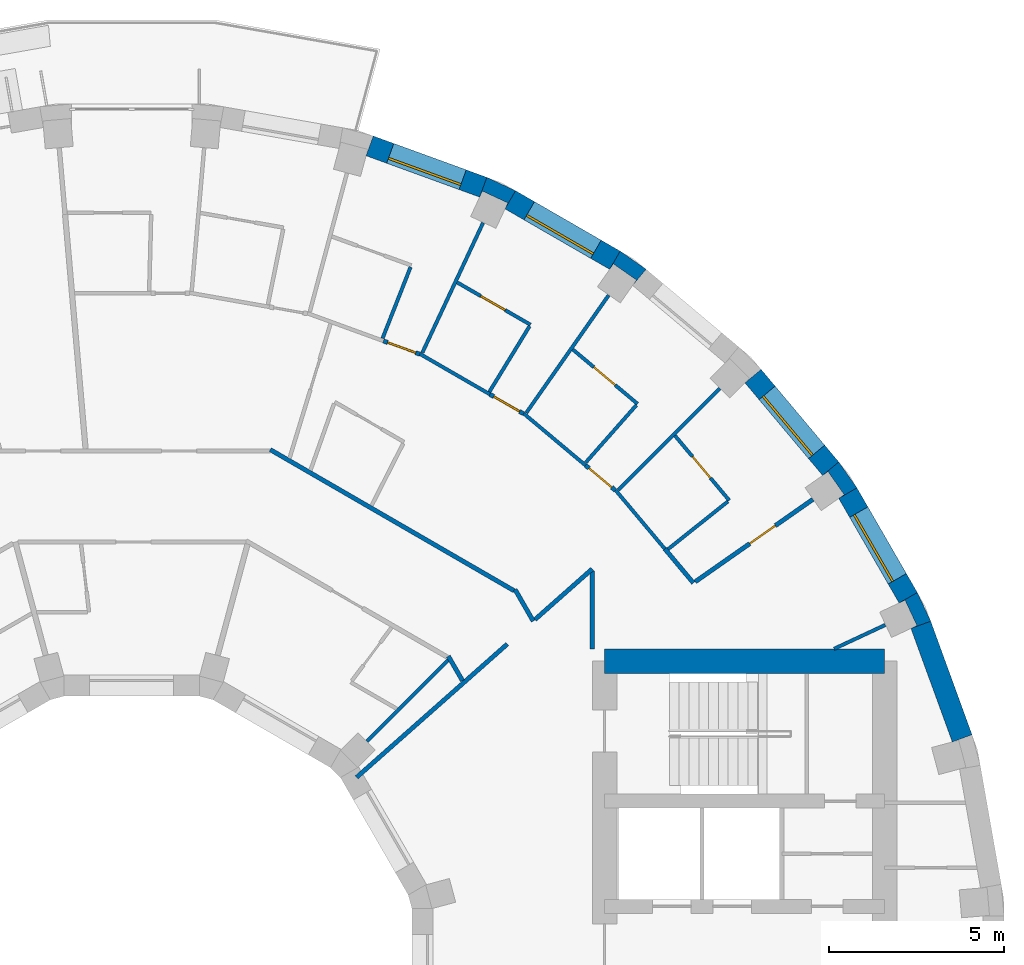
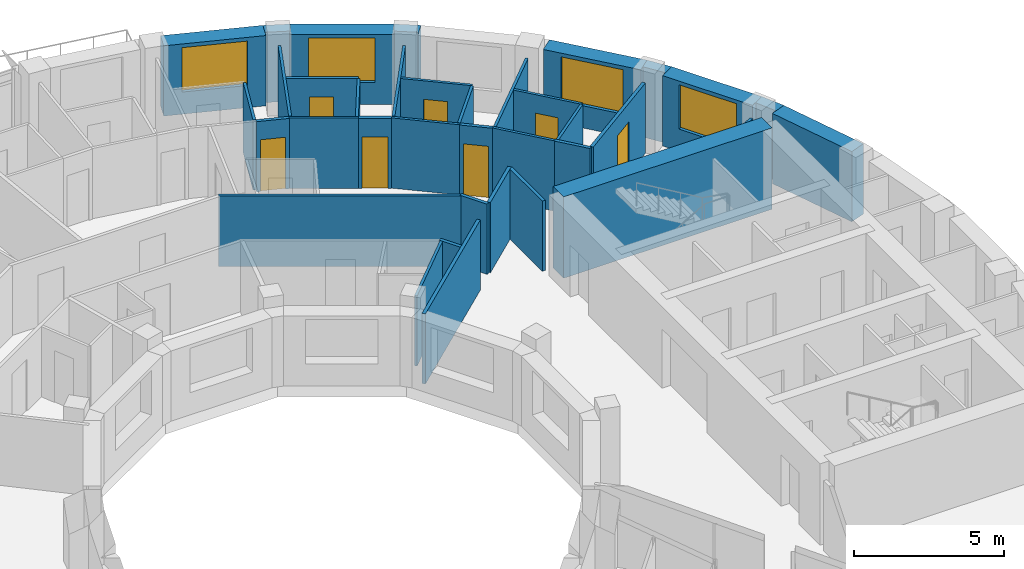
# One storey, part 12 of 14: 36 walls, 7 doors, 4 windows, 11 openings.
"""IFC4 building model written with IfcOpenShell, lengths in metres."""

from ifc_helpers import new_model, si_unit, direction, frame, frame_2d, origin, place, context, subcontext, project, spatial, polyline, rectangle, outline, extrude, material, layer, layer_set, type_object, element, fill, save


model = new_model("IFC4")

# Units and contexts
model_context = context("Model", 3, precision=1e-05, world=origin(), true_north=direction((0.0, 1.0)))
body_context = subcontext(model_context, "Body", "Model", "MODEL_VIEW")
ifc_project = project(units=[si_unit("LENGTHUNIT", "METRE"), si_unit("AREAUNIT", "SQUARE_METRE"), si_unit("VOLUMEUNIT", "CUBIC_METRE"), si_unit("PLANEANGLEUNIT", "RADIAN"), si_unit("MASSUNIT", "GRAM", prefix="KILO")], contexts=[model_context])

# Site, building, storey
site_placement = place(None, origin())
site = spatial("IfcSite", under=ifc_project, at=site_placement, CompositionType="ELEMENT")
building_placement = place(site_placement, origin())
building = spatial("IfcBuilding", under=site, at=building_placement, Name="Saqina Gate Tower", CompositionType="ELEMENT")
storey_placement = place(building_placement, frame((0.0, 0.0, 210.300048828125)))
storey = spatial("IfcBuildingStorey", under=building, at=storey_placement, Name="L60", CompositionType="ELEMENT", Elevation=210.300048828125)

# Walls
ifc_material_1 = material(Name="Brick masonry (buff)", Category="masonry")
wall_type_1 = type_object("IfcWallType", Name="BRICK PIER COPING BUFF", PredefinedType="SOLIDWALL", material=ifc_material_1)
wall_1_placement = place(storey_placement, origin())
element("IfcWall", 1, at=wall_1_placement, inside=storey, type_object=wall_type_1, Name="Pier cap L60 column 3", PredefinedType="SOLIDWALL", context=body_context, shape_type="SweptSolid", body=[
    extrude(outline(polyline([(22.4306640625, 10.958740234375), (21.9111328125, 10.65869140625), (22.080810546875, 10.73779296875), (22.4189453125, 10.0126953125), (22.249267578125, 9.93359375), (22.81298828125, 10.138916015625), (22.4306640625, 10.958740234375)])), origin(), (0.0, 0.0, 1.0), 2.849853515625),
])
wall_2_placement = place(storey_placement, origin())
element("IfcWall", 2, at=wall_2_placement, inside=storey, type_object=wall_type_1, Name="Pier cap L60 column 4", PredefinedType="SOLIDWALL", context=body_context, shape_type="SweptSolid", body=[
    extrude(outline(polyline([(20.705810546875, 13.9462890625), (20.18701171875, 14.687255859375), (19.727294921875, 14.301513671875), (19.880859375, 14.408935546875), (20.339599609375, 13.753662109375), (20.186279296875, 13.646240234375), (20.705810546875, 13.9462890625)])), origin(), (0.0, 0.0, 1.0), 2.849853515625),
])
wall_3_placement = place(storey_placement, origin())
element("IfcWall", 3, at=wall_3_placement, inside=storey, type_object=wall_type_1, Name="Pier cap L60 column 6", PredefinedType="SOLIDWALL", context=body_context, shape_type="SweptSolid", body=[
    extrude(outline(polyline([(14.687255859375, 20.18701171875), (13.9462890625, 20.705810546875), (13.646240234375, 20.186279296875), (13.753662109375, 20.339599609375), (14.408935546875, 19.880859375), (14.301513671875, 19.727294921875), (14.687255859375, 20.18701171875)])), origin(), (0.0, 0.0, 1.0), 2.849853515625),
])
wall_4_placement = place(storey_placement, origin())
element("IfcWall", 4, at=wall_4_placement, inside=storey, type_object=wall_type_1, Name="Pier cap L60 column 7", PredefinedType="SOLIDWALL", context=body_context, shape_type="SweptSolid", body=[
    extrude(outline(polyline([(10.138916015625, 22.81298828125), (9.93359375, 22.249267578125), (10.0126953125, 22.4189453125), (10.73779296875, 22.080810546875), (10.65869140625, 21.9111328125), (10.958740234375, 22.4306640625), (10.138916015625, 22.81298828125)])), origin(), (0.0, 0.0, 1.0), 2.849853515625),
])

# Wall, opening, window
ifc_material_2 = material(Name="Brick masonry (buff)", Category="masonry")
ifc_layer_1 = layer(ifc_material_2, 0.60009765625)
ifc_layer_set_1 = layer_set([ifc_layer_1], Name="FW-BRICK-BUFF")
wall_type_2 = type_object("IfcWallType", Name="FW-BRICK-BUFF", PredefinedType="SOLIDWALL", material=ifc_layer_set_1)
wall_5_placement = place(storey_placement, frame((22.1708984375, 10.80859375, 0.0), z_axis=(0.0, 0.0, 1.0), x_axis=(-0.499998129301, 0.86602648383, 0.0)))
wall_5 = element("IfcWall", 5, at=wall_5_placement, inside=storey, type_object=wall_type_2, Name="Facade wall L60 facet 3", PredefinedType="SOLIDWALL", context=body_context, shape_type="SweptSolid", body=[
    extrude(rectangle(XDim=3.44970703125, YDim=0.60009765625, at=frame_2d((1.724853515625, 0.0))), origin(), (0.0, 0.0, 1.0), 2.849853515625),
])
opening_1_placement = place(wall_5_placement, frame((0.625, 0.0, 0.89990234375)))
opening_1 = element("IfcOpeningElement", 6, at=opening_1_placement, cuts=wall_5, Name="Opening G18-W01", PredefinedType="OPENING", context=body_context, shape_type="SweptSolid", body=[
    extrude(rectangle(XDim=2.199951171875, YDim=1.800048828125, at=frame_2d((1.10009765625, 0.89990234375))), frame((0.0, 0.31201171875, 0.0), z_axis=(0.0, -1.0, 0.0), x_axis=(1.0, 0.0, 0.0)), (0.0, 0.0, 1.0), 0.6240234375),
])
ifc_material_3 = material(Name="Aluminium glazing", Category="aluminium")
window_type = type_object("IfcWindowType", Name="WN-C", PartitioningType="SINGLE_PANEL", PredefinedType="WINDOW", material=ifc_material_3)
window_1_placement = place(opening_1_placement, origin())
window_1 = element("IfcWindow", 7, at=window_1_placement, inside=storey, type_object=window_type, Name="Window L60 facet 3", OverallHeight=1.800048828125, OverallWidth=2.199951171875, PartitioningType="SINGLE_PANEL", PredefinedType="WINDOW", context=body_context, shape_type="SweptSolid", body=[
    extrude(rectangle(XDim=2.199951171875, YDim=1.800048828125, at=frame_2d((1.10009765625, 0.89990234375))), frame((0.0, 0.179931640625, 0.0), z_axis=(0.0, -1.0, 0.0), x_axis=(1.0, 0.0, 0.0)), (0.0, 0.0, 1.0), 0.06005859375),
])
fill(opening_1, window_1)

wall_6_placement = place(storey_placement, frame((19.95703125, 14.494384765625, 0.0), z_axis=(0.0, 0.0, 1.0), x_axis=(-0.642770398358, 0.766058884809, 0.0)))
wall_6 = element("IfcWall", 8, at=wall_6_placement, inside=storey, type_object=wall_type_2, Name="Facade wall L60 facet 4", PredefinedType="SOLIDWALL", context=body_context, shape_type="SweptSolid", body=[
    extrude(rectangle(XDim=3.449462890625, YDim=0.60009765625, at=frame_2d((1.724609375, 0.0))), origin(), (0.0, 0.0, 1.0), 2.849853515625),
])
opening_2_placement = place(wall_6_placement, frame((0.625, 0.0, 0.89990234375)))
opening_2 = element("IfcOpeningElement", 9, at=opening_2_placement, cuts=wall_6, Name="Opening G18-W02", PredefinedType="OPENING", context=body_context, shape_type="SweptSolid", body=[
    extrude(rectangle(XDim=2.199951171875, YDim=1.800048828125, at=frame_2d((1.10009765625, 0.89990234375))), frame((0.0, 0.31201171875, 0.0), z_axis=(0.0, -1.0, 0.0), x_axis=(1.0, 0.0, 0.0)), (0.0, 0.0, 1.0), 0.6240234375),
])
window_2_placement = place(opening_2_placement, origin())
window_2 = element("IfcWindow", 10, at=window_2_placement, inside=storey, type_object=window_type, Name="Window L60 facet 4", OverallHeight=1.800048828125, OverallWidth=2.199951171875, PartitioningType="SINGLE_PANEL", PredefinedType="WINDOW", context=body_context, shape_type="SweptSolid", body=[
    extrude(rectangle(XDim=2.199951171875, YDim=1.800048828125, at=frame_2d((1.10009765625, 0.89990234375))), frame((0.0, 0.179931640625, 0.0), z_axis=(0.0, -1.0, 0.0), x_axis=(1.0, 0.0, 0.0)), (0.0, 0.0, 1.0), 0.06005859375),
])
fill(opening_2, window_2)

wall_7_placement = place(storey_placement, frame((13.796142578125, 20.446044921875, 0.0), z_axis=(0.0, 0.0, 1.0), x_axis=(-0.86602648383, 0.499998129301, 0.0)))
wall_7 = element("IfcWall", 11, at=wall_7_placement, inside=storey, type_object=wall_type_2, Name="Facade wall L60 facet 6", PredefinedType="SOLIDWALL", context=body_context, shape_type="SweptSolid", body=[
    extrude(rectangle(XDim=3.44970703125, YDim=0.60009765625, at=frame_2d((1.724853515625, 0.0))), origin(), (0.0, 0.0, 1.0), 2.849853515625),
])
opening_3_placement = place(wall_7_placement, frame((0.625, 0.0, 0.89990234375)))
opening_3 = element("IfcOpeningElement", 12, at=opening_3_placement, cuts=wall_7, Name="Opening G18-W04", PredefinedType="OPENING", context=body_context, shape_type="SweptSolid", body=[
    extrude(rectangle(XDim=2.199951171875, YDim=1.800048828125, at=frame_2d((1.10009765625, 0.89990234375))), frame((0.0, 0.31201171875, 0.0), z_axis=(0.0, -1.0, 0.0), x_axis=(1.0, 0.0, 0.0)), (0.0, 0.0, 1.0), 0.6240234375),
])
window_3_placement = place(opening_3_placement, origin())
window_3 = element("IfcWindow", 13, at=window_3_placement, inside=storey, type_object=window_type, Name="Window L60 facet 6", OverallHeight=1.800048828125, OverallWidth=2.199951171875, PartitioningType="SINGLE_PANEL", PredefinedType="WINDOW", context=body_context, shape_type="SweptSolid", body=[
    extrude(rectangle(XDim=2.199951171875, YDim=1.800048828125, at=frame_2d((1.10009765625, 0.89990234375))), frame((0.0, 0.179931640625, 0.0), z_axis=(0.0, -1.0, 0.0), x_axis=(1.0, 0.0, 0.0)), (0.0, 0.0, 1.0), 0.06005859375),
])
fill(opening_3, window_3)

wall_8_placement = place(storey_placement, frame((10.0361328125, 22.531005859375, 0.0), z_axis=(0.0, 0.0, 1.0), x_axis=(-0.93968799822, 0.342032843455, 0.0)))
wall_8 = element("IfcWall", 14, at=wall_8_placement, inside=storey, type_object=wall_type_2, Name="Facade wall L60 facet 7", PredefinedType="SOLIDWALL", context=body_context, shape_type="SweptSolid", body=[
    extrude(rectangle(XDim=3.44970703125, YDim=0.60009765625, at=frame_2d((1.724853515625, 0.0))), origin(), (0.0, 0.0, 1.0), 2.849853515625),
])
opening_4_placement = place(wall_8_placement, frame((0.625, 0.0, 0.89990234375)))
opening_4 = element("IfcOpeningElement", 15, at=opening_4_placement, cuts=wall_8, Name="Opening G18-W05", PredefinedType="OPENING", context=body_context, shape_type="SweptSolid", body=[
    extrude(rectangle(XDim=2.199951171875, YDim=1.800048828125, at=frame_2d((1.10009765625, 0.89990234375))), frame((0.0, 0.31201171875, 0.0), z_axis=(0.0, -1.0, 0.0), x_axis=(1.0, 0.0, 0.0)), (0.0, 0.0, 1.0), 0.6240234375),
])
window_4_placement = place(opening_4_placement, origin())
window_4 = element("IfcWindow", 16, at=window_4_placement, inside=storey, type_object=window_type, Name="Window L60 facet 7", OverallHeight=1.800048828125, OverallWidth=2.199951171875, PartitioningType="SINGLE_PANEL", PredefinedType="WINDOW", context=body_context, shape_type="SweptSolid", body=[
    extrude(rectangle(XDim=2.199951171875, YDim=1.800048828125, at=frame_2d((1.10009765625, 0.89990234375))), frame((0.0, 0.179931640625, 0.0), z_axis=(0.0, -1.0, 0.0), x_axis=(1.0, 0.0, 0.0)), (0.0, 0.0, 1.0), 0.06005859375),
])
fill(opening_4, window_4)

# Walls
ifc_material_4 = material(Name="Glazed ceramic tile (dark blue)", Category="ceramic")
ifc_layer_2 = layer(ifc_material_4, 0.60009765625)
ifc_layer_set_2 = layer_set([ifc_layer_2], Name="FW-TILE-CB")
wall_type_3 = type_object("IfcWallType", Name="FW-TILE-CB", PredefinedType="SOLIDWALL", material=ifc_layer_set_2)
wall_9_placement = place(storey_placement, frame((23.7109375, 6.79443359375, 0.0), z_axis=(0.0, 0.0, 1.0), x_axis=(-0.342032843455, 0.93968799822, 0.0)))
element("IfcWall", 17, at=wall_9_placement, inside=storey, type_object=wall_type_3, Name="Facade wall L60 facet 2", PredefinedType="SOLIDWALL", context=body_context, shape_type="SweptSolid", body=[
    extrude(rectangle(XDim=3.44970703125, YDim=0.60009765625, at=frame_2d((1.724853515625, 0.0))), origin(), (0.0, 0.0, 1.0), 2.849853515625),
])
ifc_material_5 = material(Name="Gypsum board on steel studs, 100 mm", Category="steel")
ifc_layer_3 = layer(ifc_material_5, 0.10009765625)
ifc_layer_set_3 = layer_set([ifc_layer_3], Name="PARTITION 100")
wall_type_4 = type_object("IfcWallType", Name="PARTITION 100", PredefinedType="PARTITIONING", material=ifc_layer_set_3)
wall_10_placement = place(storey_placement, frame((13.8115234375, 13.885009765625, 0.0), z_axis=(0.0, 0.0, 1.0), x_axis=(0.642719704672, -0.766101417063, 0.0)))
element("IfcWall", 18, at=wall_10_placement, inside=storey, type_object=wall_type_4, Name="PARTITION PW3-17", PredefinedType="PARTITIONING", context=body_context, shape_type="SweptSolid", body=[
    extrude(rectangle(XDim=2.1943359375, YDim=0.10009765625, at=frame_2d((1.09716796875, 0.0))), origin(), (0.0, 0.0, 1.0), 2.849853515625),
])

# Wall, opening, door
wall_11_placement = place(storey_placement, frame((15.509033203125, 15.438720703125, 0.0), z_axis=(0.0, 0.0, 1.0), x_axis=(0.642786493814, -0.766045379446, 0.0)))
wall_11 = element("IfcWall", 19, at=wall_11_placement, inside=storey, type_object=wall_type_4, Name="PARTITION PW3-18", PredefinedType="PARTITIONING", context=body_context, shape_type="SweptSolid", body=[
    extrude(rectangle(XDim=2.41455078125, YDim=0.10009765625, at=frame_2d((1.207275390625, 0.0))), origin(), (0.0, 0.0, 1.0), 2.849853515625),
])
opening_5_placement = place(wall_11_placement, frame((0.7822265625, 0.0, 0.0)))
opening_5 = element("IfcOpeningElement", 20, at=opening_5_placement, cuts=wall_11, Name="Opening G18-D02", PredefinedType="OPENING", context=body_context, shape_type="SweptSolid", body=[
    extrude(rectangle(XDim=0.800048828125, YDim=2.10009765625, at=frame_2d((0.39990234375, 1.050048828125))), frame((0.0, 0.06201171875, 0.0), z_axis=(0.0, -1.0, 0.0), x_axis=(1.0, 0.0, 0.0)), (0.0, 0.0, 1.0), 0.1240234375),
])
ifc_material_6 = material(Name="Timber door leaf, 800 mm", Category="wood")
door_type_1 = type_object("IfcDoorType", Name="DOOR 800 TIMBER", OperationType="SINGLE_SWING_LEFT", PredefinedType="DOOR", material=ifc_material_6)
door_1_placement = place(opening_5_placement, origin())
door_1 = element("IfcDoor", 21, at=door_1_placement, inside=storey, type_object=door_type_1, Name="DOOR G18-D02", OperationType="SINGLE_SWING_LEFT", OverallHeight=2.10009765625, OverallWidth=0.800048828125, PredefinedType="DOOR", context=body_context, shape_type="SweptSolid", body=[
    extrude(rectangle(XDim=0.800048828125, YDim=2.10009765625, at=frame_2d((0.39990234375, 1.050048828125))), frame((0.0, 0.02490234375, 0.0), z_axis=(0.0, -1.0, 0.0), x_axis=(1.0, 0.0, 0.0)), (0.0, 0.0, 1.0), 0.050048828125),
])
fill(opening_5, door_1)

# Wall
wall_12_placement = place(storey_placement, frame((11.191162109375, 16.070556640625, 0.0), z_axis=(0.0, 0.0, 1.0), x_axis=(0.766099024104, -0.642722556993, 0.0)))
element("IfcWall", 22, at=wall_12_placement, inside=storey, type_object=wall_type_4, Name="PARTITION PW3-23", PredefinedType="PARTITIONING", context=body_context, shape_type="SweptSolid", body=[
    extrude(rectangle(XDim=2.305419921875, YDim=0.10009765625, at=frame_2d((1.15283203125, 0.0))), origin(), (0.0, 0.0, 1.0), 2.849853515625),
])

# Wall, opening, door
wall_13_placement = place(storey_placement, frame((12.59326171875, 17.89794921875, 0.0), z_axis=(0.0, 0.0, 1.0), x_axis=(0.765878189611, -0.642985690882, 0.0)))
wall_13 = element("IfcWall", 23, at=wall_13_placement, inside=storey, type_object=wall_type_4, Name="PARTITION PW3-24", PredefinedType="PARTITIONING", context=body_context, shape_type="SweptSolid", body=[
    extrude(rectangle(XDim=2.413818359375, YDim=0.10009765625, at=frame_2d((1.20703125, 0.0))), origin(), (0.0, 0.0, 1.0), 2.849853515625),
])
opening_6_placement = place(wall_13_placement, frame((0.781982421875, 0.0, 0.0)))
opening_6 = element("IfcOpeningElement", 24, at=opening_6_placement, cuts=wall_13, Name="Opening G18-D04", PredefinedType="OPENING", context=body_context, shape_type="SweptSolid", body=[
    extrude(rectangle(XDim=0.800048828125, YDim=2.10009765625, at=frame_2d((0.39990234375, 1.050048828125))), frame((0.0, 0.06201171875, 0.0), z_axis=(0.0, -1.0, 0.0), x_axis=(1.0, 0.0, 0.0)), (0.0, 0.0, 1.0), 0.1240234375),
])
door_2_placement = place(opening_6_placement, origin())
door_2 = element("IfcDoor", 25, at=door_2_placement, inside=storey, type_object=door_type_1, Name="DOOR G18-D04", OperationType="SINGLE_SWING_LEFT", OverallHeight=2.10009765625, OverallWidth=0.800048828125, PredefinedType="DOOR", context=body_context, shape_type="SweptSolid", body=[
    extrude(rectangle(XDim=0.800048828125, YDim=2.10009765625, at=frame_2d((0.39990234375, 1.050048828125))), frame((0.0, 0.02490234375, 0.0), z_axis=(0.0, -1.0, 0.0), x_axis=(1.0, 0.0, 0.0)), (0.0, 0.0, 1.0), 0.050048828125),
])
fill(opening_6, door_2)

# Wall
wall_14_placement = place(storey_placement, frame((8.23095703125, 17.7705078125, 0.0), z_axis=(0.0, 0.0, 1.0), x_axis=(0.865906868937, -0.5002052522, 0.0)))
element("IfcWall", 26, at=wall_14_placement, inside=storey, type_object=wall_type_4, Name="PARTITION PW3-31", PredefinedType="PARTITIONING", context=body_context, shape_type="SweptSolid", body=[
    extrude(rectangle(XDim=2.30517578125, YDim=0.10009765625, at=frame_2d((1.152587890625, 0.0))), origin(), (0.0, 0.0, 1.0), 2.849853515625),
])

# Wall, opening, door
wall_15_placement = place(storey_placement, frame((9.293212890625, 19.81201171875, 0.0), z_axis=(0.0, 0.0, 1.0), x_axis=(0.866145191815, -0.499792463624, 0.0)))
wall_15 = element("IfcWall", 27, at=wall_15_placement, inside=storey, type_object=wall_type_4, Name="PARTITION PW3-32", PredefinedType="PARTITIONING", context=body_context, shape_type="SweptSolid", body=[
    extrude(rectangle(XDim=2.4150390625, YDim=0.10009765625, at=frame_2d((1.20751953125, 0.0))), origin(), (0.0, 0.0, 1.0), 2.849853515625),
])
opening_7_placement = place(wall_15_placement, frame((0.782470703125, 0.0, 0.0)))
opening_7 = element("IfcOpeningElement", 28, at=opening_7_placement, cuts=wall_15, Name="Opening G18-D08", PredefinedType="OPENING", context=body_context, shape_type="SweptSolid", body=[
    extrude(rectangle(XDim=0.800048828125, YDim=2.10009765625, at=frame_2d((0.39990234375, 1.050048828125))), frame((0.0, 0.06201171875, 0.0), z_axis=(0.0, -1.0, 0.0), x_axis=(1.0, 0.0, 0.0)), (0.0, 0.0, 1.0), 0.1240234375),
])
door_3_placement = place(opening_7_placement, origin())
door_3 = element("IfcDoor", 29, at=door_3_placement, inside=storey, type_object=door_type_1, Name="DOOR G18-D08", OperationType="SINGLE_SWING_LEFT", OverallHeight=2.10009765625, OverallWidth=0.800048828125, PredefinedType="DOOR", context=body_context, shape_type="SweptSolid", body=[
    extrude(rectangle(XDim=0.800048828125, YDim=2.10009765625, at=frame_2d((0.39990234375, 1.050048828125))), frame((0.0, 0.02490234375, 0.0), z_axis=(0.0, -1.0, 0.0), x_axis=(1.0, 0.0, 0.0)), (0.0, 0.0, 1.0), 0.050048828125),
])
fill(opening_7, door_3)

# Walls
wall_16_placement = place(storey_placement, frame((20.052978515625, 9.35009765625, 0.0), z_axis=(0.0, 0.0, 1.0), x_axis=(0.906055596822, 0.423158664648, 0.0)))
element("IfcWall", 30, at=wall_16_placement, inside=storey, type_object=wall_type_4, Name="PARTITION PW3-53", PredefinedType="PARTITIONING", context=body_context, shape_type="SweptSolid", body=[
    extrude(rectangle(XDim=1.6142578125, YDim=0.10009765625, at=frame_2d((0.80712890625, 0.0))), origin(), (0.0, 0.0, 1.0), 2.849853515625),
])
wall_17_placement = place(storey_placement, frame((15.31103515625, 12.195068359375, 0.0), z_axis=(0.0, 0.0, 1.0), x_axis=(0.782195530376, 0.623033026621, 0.0)))
element("IfcWall", 31, at=wall_17_placement, inside=storey, type_object=wall_type_4, Name="PARTITION PW3-62", PredefinedType="PARTITIONING", context=body_context, shape_type="SweptSolid", body=[
    extrude(rectangle(XDim=2.187255859375, YDim=0.10009765625, at=frame_2d((1.09375, 0.0))), origin(), (0.0, 0.0, 1.0), 2.849853515625),
])
wall_18_placement = place(storey_placement, frame((6.7119140625, 6.7119140625, 0.0), z_axis=(0.0, 0.0, 1.0), x_axis=(0.707106781187, 0.707106781187, 0.0)))
element("IfcWall", 32, at=wall_18_placement, inside=storey, type_object=wall_type_4, Name="PARTITION PW3-66", PredefinedType="PARTITIONING", context=body_context, shape_type="SweptSolid", body=[
    extrude(rectangle(XDim=3.2822265625, YDim=0.10009765625, at=frame_2d((1.64111328125, 0.0))), origin(), (0.0, 0.0, 1.0), 2.849853515625),
])
wall_19_placement = place(storey_placement, frame((13.88916015625, 13.88916015625, 0.0), z_axis=(0.0, 0.0, 1.0), x_axis=(0.707106781187, 0.707106781187, 0.0)))
element("IfcWall", 33, at=wall_19_placement, inside=storey, type_object=wall_type_4, Name="PARTITION PW3-67", PredefinedType="PARTITIONING", context=body_context, shape_type="SweptSolid", body=[
    extrude(rectangle(XDim=4.09765625, YDim=0.10009765625, at=frame_2d((2.048828125, 0.0))), origin(), (0.0, 0.0, 1.0), 2.849853515625),
])
wall_20_placement = place(storey_placement, frame((12.96044921875, 14.66796875, 0.0), z_axis=(0.0, 0.0, 1.0), x_axis=(0.661846667472, 0.749639239072, 0.0)))
element("IfcWall", 34, at=wall_20_placement, inside=storey, type_object=wall_type_4, Name="PARTITION PW3-68", PredefinedType="PARTITIONING", context=body_context, shape_type="SweptSolid", body=[
    extrude(rectangle(XDim=2.1884765625, YDim=0.10009765625, at=frame_2d((1.09423828125, 0.0))), origin(), (0.0, 0.0, 1.0), 2.849853515625),
])
wall_21_placement = place(storey_placement, frame((11.265869140625, 16.089111328125, 0.0), z_axis=(0.0, 0.0, 1.0), x_axis=(0.573606249772, 0.819131167898, 0.0)))
element("IfcWall", 35, at=wall_21_placement, inside=storey, type_object=wall_type_4, Name="PARTITION PW3-73", PredefinedType="PARTITIONING", context=body_context, shape_type="SweptSolid", body=[
    extrude(rectangle(XDim=4.098876953125, YDim=0.10009765625, at=frame_2d((2.04931640625, 0.0))), origin(), (0.0, 0.0, 1.0), 2.849853515625),
])
wall_22_placement = place(storey_placement, frame((10.210205078125, 16.685546875, 0.0), z_axis=(0.0, 0.0, 1.0), x_axis=(0.522046798857, 0.852916842256, 0.0)))
element("IfcWall", 36, at=wall_22_placement, inside=storey, type_object=wall_type_4, Name="PARTITION PW3-76", PredefinedType="PARTITIONING", context=body_context, shape_type="SweptSolid", body=[
    extrude(rectangle(XDim=2.200439453125, YDim=0.10009765625, at=frame_2d((1.10009765625, 0.0))), origin(), (0.0, 0.0, 1.0), 2.849853515625),
])
wall_23_placement = place(storey_placement, frame((8.296875, 17.8037109375, 0.0), z_axis=(0.0, 0.0, 1.0), x_axis=(0.423514808753, 0.90588918018, 0.0)))
element("IfcWall", 37, at=wall_23_placement, inside=storey, type_object=wall_type_4, Name="PARTITION PW3-80", PredefinedType="PARTITIONING", context=body_context, shape_type="SweptSolid", body=[
    extrude(rectangle(XDim=4.09814453125, YDim=0.10009765625, at=frame_2d((2.049072265625, 0.0))), origin(), (0.0, 0.0, 1.0), 2.849853515625),
])
wall_24_placement = place(storey_placement, frame((7.161865234375, 18.216064453125, 0.0), z_axis=(0.0, 0.0, 1.0), x_axis=(0.365959579046, 0.930630746593, 0.0)))
element("IfcWall", 38, at=wall_24_placement, inside=storey, type_object=wall_type_4, Name="PARTITION PW3-83", PredefinedType="PARTITIONING", context=body_context, shape_type="SweptSolid", body=[
    extrude(rectangle(XDim=2.188232421875, YDim=0.10009765625, at=frame_2d((1.09423828125, 0.0))), origin(), (0.0, 0.0, 1.0), 2.849853515625),
])
ifc_material_7 = material(Name="Gypsum board on steel studs, 125 mm, fire rated", Category="steel")
ifc_layer_4 = layer(ifc_material_7, 0.125)
ifc_layer_set_4 = layer_set([ifc_layer_4], Name="PARTITION EI 30 125")
wall_type_5 = type_object("IfcWallType", Name="PARTITION EI 30 125", PredefinedType="PARTITIONING", material=ifc_layer_set_4)
wall_25_placement = place(storey_placement, frame((10.945556640625, 11.04443359375, 0.0), z_axis=(0.0, 0.0, 1.0), x_axis=(0.49896979131, -0.866619378597, 0.0)))
element("IfcWall", 39, at=wall_25_placement, inside=storey, type_object=wall_type_5, Name="PARTITION PW1-05", PredefinedType="PARTITIONING", context=body_context, shape_type="SweptSolid", body=[
    extrude(rectangle(XDim=1.039306640625, YDim=0.125, at=frame_2d((0.51953125, 0.0))), origin(), (0.0, 0.0, 1.0), 2.849853515625),
])
wall_26_placement = place(storey_placement, frame((9.041015625, 9.139404296875, 0.0), z_axis=(0.0, 0.0, 1.0), x_axis=(0.500488808838, -0.865743005879, 0.0)))
element("IfcWall", 40, at=wall_26_placement, inside=storey, type_object=wall_type_5, Name="PARTITION PW1-07", PredefinedType="PARTITIONING", context=body_context, shape_type="SweptSolid", body=[
    extrude(rectangle(XDim=0.808837890625, YDim=0.125, at=frame_2d((0.404296875, 0.0))), origin(), (0.0, 0.0, 1.0), 2.849853515625),
])
wall_27_placement = place(storey_placement, frame((15.222412109375, 12.204345703125, 0.0), z_axis=(0.0, 0.0, 1.0), x_axis=(0.641754990355, -0.766909728948, 0.0)))
element("IfcWall", 41, at=wall_27_placement, inside=storey, type_object=wall_type_5, Name="PARTITION PW1-09", PredefinedType="PARTITIONING", context=body_context, shape_type="SweptSolid", body=[
    extrude(rectangle(XDim=1.26806640625, YDim=0.125, at=frame_2d((0.634033203125, 0.0))), origin(), (0.0, 0.0, 1.0), 2.849853515625),
])

# Wall, opening, door
wall_28_placement = place(storey_placement, frame((12.957275390625, 14.5888671875, 0.0), z_axis=(0.0, 0.0, 1.0), x_axis=(0.766464721633, -0.642286408459, 0.0)))
wall_28 = element("IfcWall", 42, at=wall_28_placement, inside=storey, type_object=wall_type_5, Name="PARTITION PW1-16", PredefinedType="PARTITIONING", context=body_context, shape_type="SweptSolid", body=[
    extrude(rectangle(XDim=1.10693359375, YDim=0.125, at=frame_2d((0.553466796875, 0.0))), origin(), (0.0, 0.0, 1.0), 2.849853515625),
])
opening_8_placement = place(wall_28_placement, frame((0.12841796875, 0.0, 0.0)))
opening_8 = element("IfcOpeningElement", 43, at=opening_8_placement, cuts=wall_28, Name="Opening G18-D03", PredefinedType="OPENING", context=body_context, shape_type="SweptSolid", body=[
    extrude(rectangle(XDim=0.85009765625, YDim=2.10009765625, at=frame_2d((0.425048828125, 1.050048828125))), frame((0.0, 0.074462890625, 0.0), z_axis=(0.0, -1.0, 0.0), x_axis=(1.0, 0.0, 0.0)), (0.0, 0.0, 1.0), 0.14892578125),
])
ifc_material_8 = material(Name="Fire door leaf EI 30, 850 mm")
door_type_2 = type_object("IfcDoorType", Name="DOOR 850 EI 30", OperationType="SINGLE_SWING_LEFT", PredefinedType="DOOR", material=ifc_material_8)
door_4_placement = place(opening_8_placement, frame((0.85009765625, 0.0, 0.0), z_axis=(0.0, 0.0, 1.0), x_axis=(-1.0, 0.0, 0.0)))
door_4 = element("IfcDoor", 44, at=door_4_placement, inside=storey, type_object=door_type_2, Name="DOOR G18-D03", OperationType="SINGLE_SWING_LEFT", OverallHeight=2.10009765625, OverallWidth=0.85009765625, PredefinedType="DOOR", context=body_context, shape_type="SweptSolid", body=[
    extrude(rectangle(XDim=0.85009765625, YDim=2.10009765625, at=frame_2d((0.425048828125, 1.050048828125))), frame((0.0, 0.02490234375, 0.0), z_axis=(0.0, -1.0, 0.0), x_axis=(1.0, 0.0, 0.0)), (0.0, 0.0, 1.0), 0.050048828125),
])
fill(opening_8, door_4)

# Wall
wall_29_placement = place(storey_placement, frame((3.95654296875, 15.037353515625, 0.0), z_axis=(0.0, 0.0, 1.0), x_axis=(0.865555702761, -0.500812664994, 0.0)))
element("IfcWall", 45, at=wall_29_placement, inside=storey, type_object=wall_type_5, Name="PARTITION PW1-19", PredefinedType="PARTITIONING", context=body_context, shape_type="SweptSolid", body=[
    extrude(rectangle(XDim=8.048828125, YDim=0.125, at=frame_2d((4.0244140625, 0.0))), origin(), (0.0, 0.0, 1.0), 2.849853515625),
])

# Wall, opening, door
wall_30_placement = place(storey_placement, frame((10.22705078125, 16.617431640625, 0.0), z_axis=(0.0, 0.0, 1.0), x_axis=(0.865888396158, -0.500237229121, 0.0)))
wall_30 = element("IfcWall", 46, at=wall_30_placement, inside=storey, type_object=wall_type_5, Name="PARTITION PW1-22", PredefinedType="PARTITIONING", context=body_context, shape_type="SweptSolid", body=[
    extrude(rectangle(XDim=1.1083984375, YDim=0.125, at=frame_2d((0.55419921875, 0.0))), origin(), (0.0, 0.0, 1.0), 2.849853515625),
])
opening_9_placement = place(wall_30_placement, frame((0.129150390625, 0.0, 0.0)))
opening_9 = element("IfcOpeningElement", 47, at=opening_9_placement, cuts=wall_30, Name="Opening G18-D06", PredefinedType="OPENING", context=body_context, shape_type="SweptSolid", body=[
    extrude(rectangle(XDim=0.85009765625, YDim=2.10009765625, at=frame_2d((0.425048828125, 1.050048828125))), frame((0.0, 0.074462890625, 0.0), z_axis=(0.0, -1.0, 0.0), x_axis=(1.0, 0.0, 0.0)), (0.0, 0.0, 1.0), 0.14892578125),
])
door_5_placement = place(opening_9_placement, frame((0.85009765625, 0.0, 0.0), z_axis=(0.0, 0.0, 1.0), x_axis=(-1.0, 0.0, 0.0)))
door_5 = element("IfcDoor", 48, at=door_5_placement, inside=storey, type_object=door_type_2, Name="DOOR G18-D06", OperationType="SINGLE_SWING_LEFT", OverallHeight=2.10009765625, OverallWidth=0.85009765625, PredefinedType="DOOR", context=body_context, shape_type="SweptSolid", body=[
    extrude(rectangle(XDim=0.85009765625, YDim=2.10009765625, at=frame_2d((0.425048828125, 1.050048828125))), frame((0.0, 0.02490234375, 0.0), z_axis=(0.0, -1.0, 0.0), x_axis=(1.0, 0.0, 0.0)), (0.0, 0.0, 1.0), 0.050048828125),
])
fill(opening_9, door_5)

wall_31_placement = place(storey_placement, frame((7.18603515625, 18.140869140625, 0.0), z_axis=(0.0, 0.0, 1.0), x_axis=(0.939793423488, -0.341743063087, 0.0)))
wall_31 = element("IfcWall", 49, at=wall_31_placement, inside=storey, type_object=wall_type_5, Name="PARTITION PW1-24", PredefinedType="PARTITIONING", context=body_context, shape_type="SweptSolid", body=[
    extrude(rectangle(XDim=1.108642578125, YDim=0.125, at=frame_2d((0.55419921875, 0.0))), origin(), (0.0, 0.0, 1.0), 2.849853515625),
])
opening_10_placement = place(wall_31_placement, frame((0.12939453125, 0.0, 0.0)))
opening_10 = element("IfcOpeningElement", 50, at=opening_10_placement, cuts=wall_31, Name="Opening G18-D10", PredefinedType="OPENING", context=body_context, shape_type="SweptSolid", body=[
    extrude(rectangle(XDim=0.85009765625, YDim=2.10009765625, at=frame_2d((0.425048828125, 1.050048828125))), frame((0.0, 0.074462890625, 0.0), z_axis=(0.0, -1.0, 0.0), x_axis=(1.0, 0.0, 0.0)), (0.0, 0.0, 1.0), 0.14892578125),
])
door_6_placement = place(opening_10_placement, frame((0.85009765625, 0.0, 0.0), z_axis=(0.0, 0.0, 1.0), x_axis=(-1.0, 0.0, 0.0)))
door_6 = element("IfcDoor", 51, at=door_6_placement, inside=storey, type_object=door_type_2, Name="DOOR G18-D10", OperationType="SINGLE_SWING_LEFT", OverallHeight=2.10009765625, OverallWidth=0.85009765625, PredefinedType="DOOR", context=body_context, shape_type="SweptSolid", body=[
    extrude(rectangle(XDim=0.85009765625, YDim=2.10009765625, at=frame_2d((0.425048828125, 1.050048828125))), frame((0.0, 0.02490234375, 0.0), z_axis=(0.0, -1.0, 0.0), x_axis=(1.0, 0.0, 0.0)), (0.0, 0.0, 1.0), 0.050048828125),
])
fill(opening_10, door_6)

wall_32_placement = place(storey_placement, frame((16.089111328125, 11.265869140625, 0.0), z_axis=(0.0, 0.0, 1.0), x_axis=(0.819131167898, 0.573606249772, 0.0)))
wall_32 = element("IfcWall", 52, at=wall_32_placement, inside=storey, type_object=wall_type_5, Name="PARTITION PW1-40", PredefinedType="PARTITIONING", context=body_context, shape_type="SweptSolid", body=[
    extrude(rectangle(XDim=4.098876953125, YDim=0.125, at=frame_2d((2.04931640625, 0.0))), origin(), (0.0, 0.0, 1.0), 2.849853515625),
])
opening_11_placement = place(wall_32_placement, frame((1.8974609375, 0.0, 0.0)))
opening_11 = element("IfcOpeningElement", 53, at=opening_11_placement, cuts=wall_32, Name="Opening G18-D01", PredefinedType="OPENING", context=body_context, shape_type="SweptSolid", body=[
    extrude(rectangle(XDim=0.89990234375, YDim=2.10009765625, at=frame_2d((0.449951171875, 1.050048828125))), frame((0.0, 0.074462890625, 0.0), z_axis=(0.0, -1.0, 0.0), x_axis=(1.0, 0.0, 0.0)), (0.0, 0.0, 1.0), 0.14892578125),
])
ifc_material_9 = material(Name="Fire door leaf EI 30, 900 mm")
door_type_3 = type_object("IfcDoorType", Name="DOOR 900 EI 30", OperationType="SINGLE_SWING_LEFT", PredefinedType="DOOR", material=ifc_material_9)
door_7_placement = place(opening_11_placement, frame((0.89990234375, 0.0, 0.0), z_axis=(0.0, 0.0, 1.0), x_axis=(-1.0, 0.0, 0.0)))
door_7 = element("IfcDoor", 54, at=door_7_placement, inside=storey, type_object=door_type_3, Name="DOOR G18-D01", OperationType="SINGLE_SWING_LEFT", OverallHeight=2.10009765625, OverallWidth=0.89990234375, PredefinedType="DOOR", context=body_context, shape_type="SweptSolid", body=[
    extrude(rectangle(XDim=0.89990234375, YDim=2.10009765625, at=frame_2d((0.449951171875, 1.050048828125))), frame((0.0, 0.02490234375, 0.0), z_axis=(0.0, -1.0, 0.0), x_axis=(1.0, 0.0, 0.0)), (0.0, 0.0, 1.0), 0.050048828125),
])
fill(opening_11, door_7)

# Walls
wall_33_placement = place(storey_placement, frame((6.419921875, 5.679931640625, 0.0), z_axis=(0.0, 0.0, 1.0), x_axis=(0.74898196967, 0.662590378068, 0.0)))
element("IfcWall", 55, at=wall_33_placement, inside=storey, type_object=wall_type_5, Name="PARTITION PW1-44", PredefinedType="PARTITIONING", context=body_context, shape_type="SweptSolid", body=[
    extrude(rectangle(XDim=5.748046875, YDim=0.125, at=frame_2d((2.8740234375, 0.0))), origin(), (0.0, 0.0, 1.0), 2.849853515625),
])
wall_34_placement = place(storey_placement, frame((11.51171875, 10.184326171875, 0.0), z_axis=(0.0, 0.0, 1.0), x_axis=(0.748998696572, 0.662571469755, 0.0)))
element("IfcWall", 56, at=wall_34_placement, inside=storey, type_object=wall_type_5, Name="PARTITION PW1-45", PredefinedType="PARTITIONING", context=body_context, shape_type="SweptSolid", body=[
    extrude(rectangle(XDim=2.18359375, YDim=0.125, at=frame_2d((1.091796875, 0.0))), origin(), (0.0, 0.0, 1.0), 2.849853515625),
])
wall_35_placement = place(storey_placement, frame((13.14990234375, 9.35107421875, 0.0), z_axis=(0.0, 0.0, 1.0), x_axis=(0.0, 1.0, 0.0)))
element("IfcWall", 57, at=wall_35_placement, inside=storey, type_object=wall_type_5, Name="PARTITION PW1-51", PredefinedType="PARTITIONING", context=body_context, shape_type="SweptSolid", body=[
    extrude(rectangle(XDim=2.21630859375, YDim=0.125, at=frame_2d((1.108154296875, 0.0))), origin(), (0.0, 0.0, 1.0), 2.849853515625),
])
ifc_material_10 = material(Name="Concrete C60/75", Category="concrete")
ifc_layer_5 = layer(ifc_material_10, 0.699951171875)
ifc_layer_set_5 = layer_set([ifc_layer_5], Name="Concrete C60/75")
wall_type_6 = type_object("IfcWallType", Name="STR-CORE WALL-C-O", PredefinedType="SHEAR", material=ifc_layer_set_5)
wall_36_placement = place(storey_placement, frame((13.5, 9.0, 0.0), z_axis=(0.0, 0.0, 1.0), x_axis=(1.0, 0.0, 0.0)))
element("IfcWall", 58, at=wall_36_placement, inside=storey, type_object=wall_type_6, Name="CORE WALL L60 E-NE", PredefinedType="SHEAR", context=body_context, shape_type="SweptSolid", body=[
    extrude(rectangle(XDim=8.0, YDim=0.699951171875, at=frame_2d((4.0, 0.0))), origin(), (0.0, 0.0, 1.0), 3.300048828125),
])

save(model, "model.ifc")
